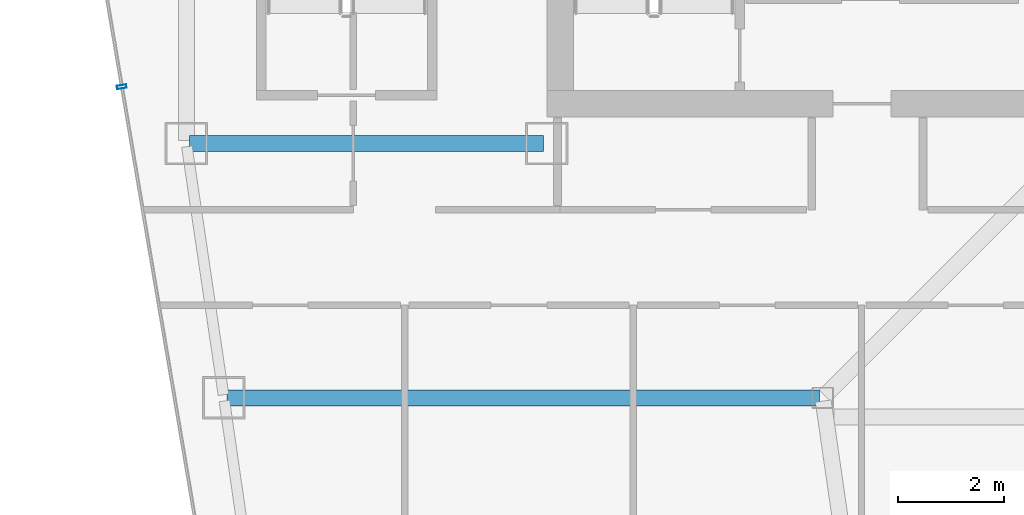
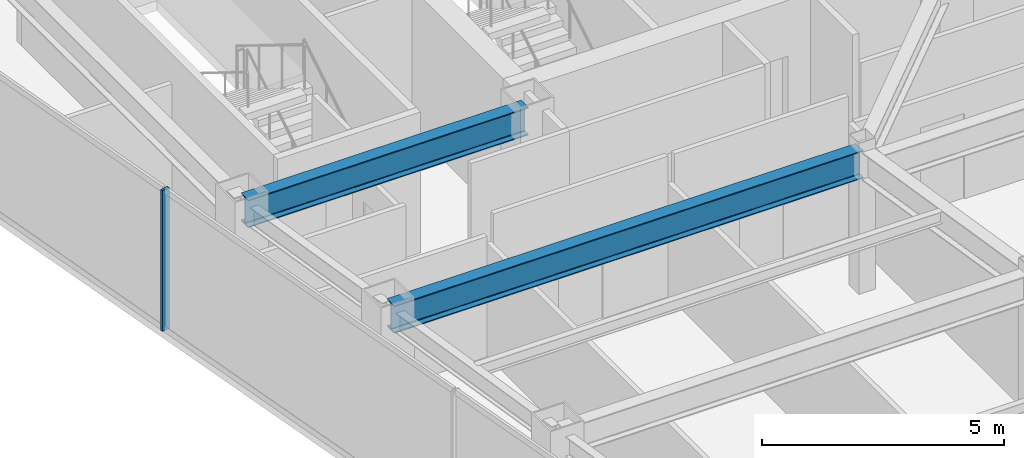
# One storey, part 11 of 35: 2 beams, 1 member, 1 element without a shape of its own.
"""IFC4 building model written with IfcOpenShell, lengths in metres."""

import ifcopenshell
import ifcopenshell.guid

model = None  # the IFC model being written
_history = None  # IfcOwnerHistory: only IFC2X3 demands one
_inside = {}  # id of a spatial element -> (the spatial element, [elements in it])
_under = {}  # id of a project, library or spatial element -> (it, [spatial elements below it])
_declared = {}  # id of a project -> (the project, [libraries it declares])
_typed = {}  # id of a type object -> (the type object, [elements of that type])
_made_of = {}  # id of a material, layer set ... -> (it, [elements and type objects made of it])


def new_model(schema):
    """Start an empty IFC model of exactly this schema.

    Asked for "IFC4X3", IfcOpenShell would pick the latest addendum, in which some entities
    have other attributes; the version numbers below select the first issue.
    IFC2X3 requires an IfcOwnerHistory on every rooted entity: one is made here for all.
    """
    global model, _history
    if schema == "IFC4X3":
        model = ifcopenshell.file(schema_version=(4, 3, 0, 0))
    else:
        model = ifcopenshell.file(schema=schema)
    _inside.clear()
    _under.clear()
    _declared.clear()
    _typed.clear()
    _made_of.clear()
    _history = None
    if model.schema == "IFC2X3":
        org = make("IfcOrganization", Name="unknown")
        user = make(
            "IfcPersonAndOrganization",
            ThePerson=make("IfcPerson", FamilyName="unknown"),
            TheOrganization=org,
        )
        app = make(
            "IfcApplication",
            ApplicationDeveloper=org,
            Version="unknown",
            ApplicationFullName="unknown",
            ApplicationIdentifier="unknown",
        )
        _history = make(
            "IfcOwnerHistory",
            OwningUser=user,
            OwningApplication=app,
            ChangeAction="ADDED",
            CreationDate=0,
        )
    return model


def make(cls, **values):
    """One entity of the class cls with the attributes given. An attribute that is None is left unset."""
    return model.create_entity(
        cls, **{name: value for name, value in values.items() if value is not None}
    )


def rooted(cls, **values):
    """An entity with a GlobalId (a new one), such as an element, a storey or a relation."""
    return make(cls, GlobalId=ifcopenshell.guid.new(), OwnerHistory=_history, **values)


def si_unit(unit_type, name, prefix=None):
    """IfcSIUnit, for example si_unit("LENGTHUNIT", "METRE", prefix="MILLI")."""
    return make("IfcSIUnit", UnitType=unit_type, Prefix=prefix, Name=name)


def assignment(units):
    """IfcUnitAssignment: the units of a project."""
    return None if units is None else make("IfcUnitAssignment", Units=units)


def point(xyz):
    """IfcCartesianPoint."""
    return None if xyz is None else make("IfcCartesianPoint", Coordinates=xyz)


def direction(xyz):
    """IfcDirection."""
    return None if xyz is None else make("IfcDirection", DirectionRatios=xyz)


def frame(location, z_axis=None, x_axis=None):
    """IfcAxis2Placement3D, a coordinate frame: its origin and axes. An axis left out is left unset."""
    return make(
        "IfcAxis2Placement3D",
        Location=point(location),
        Axis=direction(z_axis),
        RefDirection=direction(x_axis),
    )


def frame_2d(location, x_axis=None):
    """IfcAxis2Placement2D, a coordinate frame in the plane: its origin and x axis."""
    return make(
        "IfcAxis2Placement2D", Location=point(location), RefDirection=direction(x_axis)
    )


def origin():
    """The frame at (0, 0, 0) with its axes left unset."""
    return frame((0.0, 0.0, 0.0))


def origin_2d():
    """The frame at (0, 0) in the plane with its x axis left unset."""
    return frame_2d((0.0, 0.0))


def place(relative_to, where):
    """IfcLocalPlacement: puts the frame where relative to a parent placement (None: the world)."""
    return make(
        "IfcLocalPlacement", PlacementRelTo=relative_to, RelativePlacement=where
    )


def context(
    kind, dimensions, precision=None, world=None, true_north=None, identifier=None
):
    """IfcGeometricRepresentationContext, for example the 3D "Model" context."""
    return make(
        "IfcGeometricRepresentationContext",
        ContextIdentifier=identifier,
        ContextType=kind,
        CoordinateSpaceDimension=dimensions,
        Precision=precision,
        WorldCoordinateSystem=world,
        TrueNorth=true_north,
    )


def subcontext(parent, identifier, kind, view, scale=None):
    """IfcGeometricRepresentationSubContext, for example "Body" below "Model"."""
    return make(
        "IfcGeometricRepresentationSubContext",
        ContextIdentifier=identifier,
        ContextType=kind,
        ParentContext=parent,
        TargetScale=scale,
        TargetView=view,
    )


def project(units=None, contexts=None):
    """IfcProject with its units and contexts."""
    return rooted(
        "IfcProject",
        Name="project",
        RepresentationContexts=contexts,
        UnitsInContext=assignment(units),
    )


def spatial(cls, under=None, at=None, **own):
    """A site, building, storey or space (cls), placed at a placement, below another one or the project."""
    s = rooted(cls, ObjectPlacement=at, **own)
    if under is not None:
        _under.setdefault(under.id(), (under, []))[1].append(s)
    return s


def profile(cls, at=None, kind="AREA", **sizes):
    """A parametric profile (cls). Its sizes go by their IFC names, for example OverallWidth=200.0."""
    return make(cls, ProfileType=kind, Position=at, **sizes)


def hollow_rectangle(**sizes):
    """IfcRectangleHollowProfileDef."""
    return profile("IfcRectangleHollowProfileDef", **sizes)


def i_section(**sizes):
    """IfcIShapeProfileDef."""
    return profile("IfcIShapeProfileDef", **sizes)


def extrude(swept, where, along, depth):
    """IfcExtrudedAreaSolid: the profile swept, set in the frame where, extruded along a direction by depth."""
    return make(
        "IfcExtrudedAreaSolid",
        SweptArea=swept,
        Position=where,
        ExtrudedDirection=direction(along),
        Depth=depth,
    )


def shape(context_of_items, identifier, shape_type, items):
    """IfcShapeRepresentation: the items that make up one representation, for example the "Body"."""
    return make(
        "IfcShapeRepresentation",
        ContextOfItems=context_of_items,
        RepresentationIdentifier=identifier,
        RepresentationType=shape_type,
        Items=items,
    )


def material(Name=None, Category=None):
    """IfcMaterial."""
    return make("IfcMaterial", Name=Name, Category=Category)


def material_profile(
    of_material, cross_section, Name=None, Category=None, Priority=None
):
    """IfcMaterialProfile: a cross section and its material."""
    return make(
        "IfcMaterialProfile",
        Name=Name,
        Material=of_material,
        Profile=cross_section,
        Priority=Priority,
        Category=Category,
    )


def profile_set(profiles, Name=None, composite=None):
    """IfcMaterialProfileSet."""
    return make(
        "IfcMaterialProfileSet",
        Name=Name,
        MaterialProfiles=profiles,
        CompositeProfile=composite,
    )


def made_of(thing, what):
    """Note that an element or type object is made of a material, layer set ...; save() writes the relation."""
    if what is not None:
        _made_of.setdefault(what.id(), (what, []))[1].append(thing)
    return thing


def type_object(cls, material=None, **own):
    """A type object (cls), such as IfcWallType, which elements share."""
    return made_of(rooted(cls, **own), material)


def element(
    cls,
    number,
    at=None,
    inside=None,
    cuts=None,
    type_object=None,
    material=None,
    context=None,
    identifier="Body",
    shape_type=None,
    held_by="IfcProductDefinitionShape",
    body=None,
    shapes=None,
    **own,
):
    """One element of the class cls, such as IfcWall. Its Tag is "e" and its number.

    at: its placement. inside: the storey or other place that contains it. cuts: it is an
    opening in that element (IfcRelVoidsElement). A single representation is given by context,
    identifier, shape_type and body (its items); several are given by shapes. held_by: the class
    of the entity that holds the representations. save() writes the other relations.
    """
    e = rooted(cls, Tag="e%d" % number, ObjectPlacement=at, **own)
    if body is not None:
        shapes = [shape(context, identifier, shape_type, body)]
    if shapes is not None:
        e.Representation = make(held_by, Representations=shapes)
    if inside is not None:
        _inside.setdefault(inside.id(), (inside, []))[1].append(e)
    if cuts is not None:
        rooted(
            "IfcRelVoidsElement", RelatingBuildingElement=cuts, RelatedOpeningElement=e
        )
    if type_object is not None:
        _typed.setdefault(type_object.id(), (type_object, []))[1].append(e)
    return made_of(e, material)


def aggregate(whole, parts):
    """IfcRelAggregates: a whole, such as a stair, and the parts it consists of."""
    return rooted("IfcRelAggregates", RelatingObject=whole, RelatedObjects=parts)


def save(model, path):
    """Write the relations noted so far, then the file.

    IfcRelAggregates (storeys below a building ...), IfcRelContainedInSpatialStructure (elements
    in a storey), IfcRelDefinesByType, IfcRelAssociatesMaterial and IfcRelDeclares: one each for
    every whole, place, type object, material and project.
    """
    for whole, parts in _under.values():
        aggregate(whole, parts)
    for where, things in _inside.values():
        rooted(
            "IfcRelContainedInSpatialStructure",
            RelatedElements=things,
            RelatingStructure=where,
        )
    for kind, things in _typed.values():
        rooted("IfcRelDefinesByType", RelatedObjects=things, RelatingType=kind)
    for what, things in _made_of.values():
        rooted("IfcRelAssociatesMaterial", RelatedObjects=things, RelatingMaterial=what)
    for by, libraries in _declared.values():
        rooted("IfcRelDeclares", RelatingContext=by, RelatedDefinitions=libraries)
    model.write(path)


model = new_model("IFC4")

# Units and contexts
model_context = context("Model", 3, precision=1e-05, world=origin(), true_north=direction((0.0, 1.0)))
body_context = subcontext(model_context, "Body", "Model", "MODEL_VIEW")
ifc_project = project(units=[si_unit("LENGTHUNIT", "METRE"), si_unit("AREAUNIT", "SQUARE_METRE"), si_unit("VOLUMEUNIT", "CUBIC_METRE"), si_unit("PLANEANGLEUNIT", "RADIAN"), si_unit("MASSUNIT", "GRAM", prefix="KILO")], contexts=[model_context])

# Site, building, storey
site_placement = place(None, origin())
site = spatial("IfcSite", under=ifc_project, at=site_placement, CompositionType="ELEMENT")
building_placement = place(site_placement, origin())
building = spatial("IfcBuilding", under=site, at=building_placement, Name="Saevonmaru Cultural Tower", CompositionType="ELEMENT")
storey_placement = place(building_placement, frame((0.0, 0.0, 190.39990234375)))
storey = spatial("IfcBuildingStorey", under=building, at=storey_placement, Name="L43", CompositionType="ELEMENT", Elevation=190.39990234375)

# Beams
ifc_material_1 = material(Name="Steel SM355", Category="steel")
ifc_material_profile_1 = material_profile(ifc_material_1, i_section(OverallWidth=0.300048828125, OverallDepth=0.699951171875, WebThickness=0.012939453125, FlangeThickness=0.02392578125, FilletRadius=0.02587890625, at=origin_2d()), Name="H-700x300x13x24")
ifc_profile_set_1 = profile_set([ifc_material_profile_1], Name="Steel SM355")
beam_type = type_object("IfcBeamType", Name="BM-G-H700", PredefinedType="BEAM", material=ifc_profile_set_1)
beam_1_placement = place(storey_placement, frame((6.860107421875, 42.39990234375, 3.2001953125), z_axis=(1.0, 0.0, 0.0), x_axis=(0.0, 1.0, 0.0)))
element("IfcBeam", 1, at=beam_1_placement, inside=storey, type_object=beam_type, Name="L43 Core South Girder 1", PredefinedType="BEAM", context=body_context, shape_type="SweptSolid", body=[
    extrude(i_section(OverallWidth=0.300048828125, OverallDepth=0.699951171875, WebThickness=0.012939453125, FlangeThickness=0.02392578125, FilletRadius=0.02587890625, at=origin_2d()), origin(), (0.0, 0.0, 1.0), 6.679931640625),
])
beam_2_placement = place(storey_placement, frame((7.568115234375, 37.60009765625, 3.2001953125), z_axis=(1.0, 0.0, 0.0), x_axis=(0.0, 1.0, 0.0)))
element("IfcBeam", 2, at=beam_2_placement, inside=storey, type_object=beam_type, Name="L43 West Wing Transverse Girder 4", PredefinedType="BEAM", context=body_context, shape_type="SweptSolid", body=[
    extrude(i_section(OverallWidth=0.300048828125, OverallDepth=0.699951171875, WebThickness=0.012939453125, FlangeThickness=0.02392578125, FilletRadius=0.02587890625, at=origin_2d()), origin(), (0.0, 0.0, 1.0), 11.179931640625),
])

# Curtain wall, member
ifc_material_2 = material(Name="Satin Bronze Anodised Aluminium", Category="aluminium")
curtain_wall_type = type_object("IfcCurtainWallType", Name="CW-TYP-B", PredefinedType="NOTDEFINED", material=ifc_material_2)
curtain_wall_placement = place(storey_placement, origin())
curtain_wall = element("IfcCurtainWall", 3, at=curtain_wall_placement, inside=storey, type_object=curtain_wall_type, Name="L43 Unitised Curtain Wall E12", PredefinedType="NOTDEFINED")
ifc_material_profile_2 = material_profile(ifc_material_2, hollow_rectangle(XDim=0.06494140625, YDim=0.179931640625, WallThickness=0.00390625, at=origin_2d()), Name="ALU-MULL-180x65x4")
ifc_profile_set_2 = profile_set([ifc_material_profile_2], Name="Satin Bronze Anodised Aluminium")
member_type = type_object("IfcMemberType", Name="ML-CW-180x65", PredefinedType="MULLION", material=ifc_profile_set_2)
member_placement = place(storey_placement, frame((5.579345703125, 43.470458984375, 0.0), z_axis=(0.0, 0.0, 1.0), x_axis=(0.16692169721, -0.985970155228, 0.0)))
member = element("IfcMember", 4, at=member_placement, type_object=member_type, Name="CW-TW-L43-E12 mullion 2", PredefinedType="MULLION", context=body_context, shape_type="SweptSolid", body=[
    extrude(hollow_rectangle(XDim=0.06494140625, YDim=0.179931640625, WallThickness=0.00390625, at=origin_2d()), origin(), (0.0, 0.0, 1.0), 3.550048828125),
])
aggregate(curtain_wall, [member])

save(model, "model.ifc")
